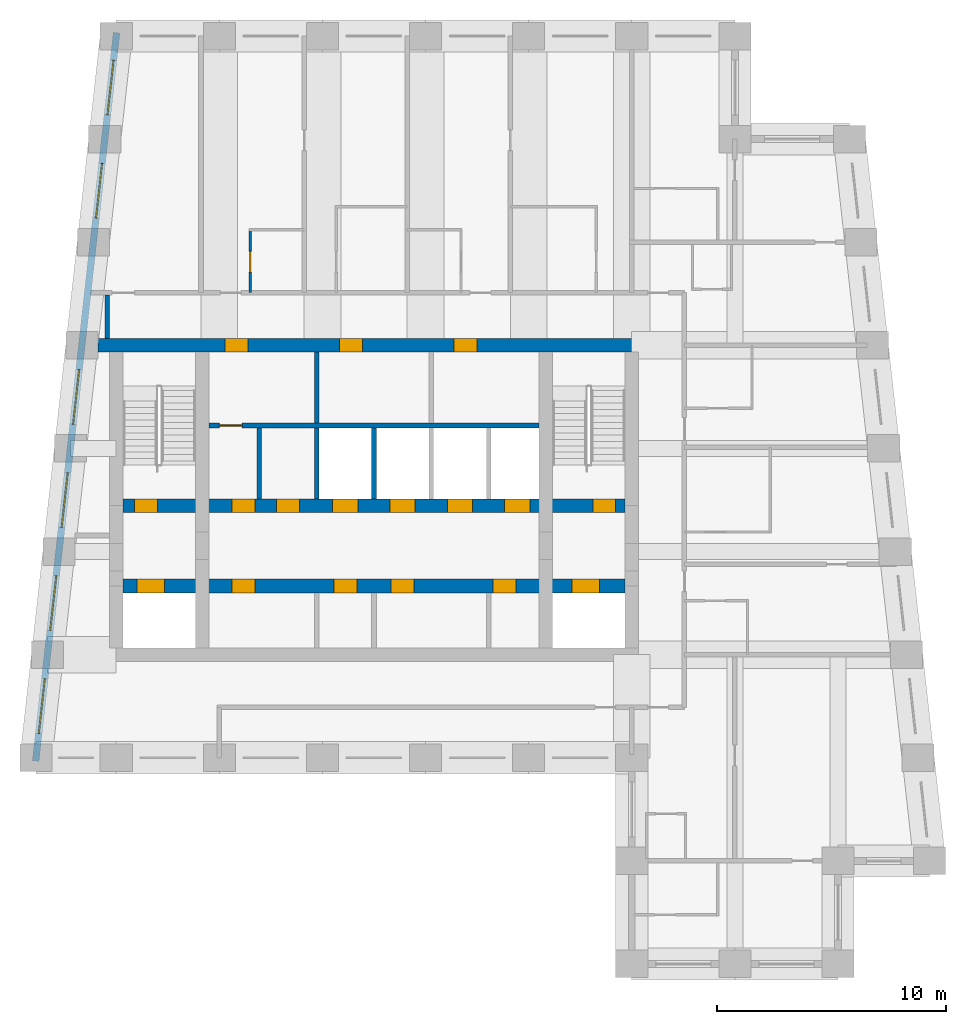
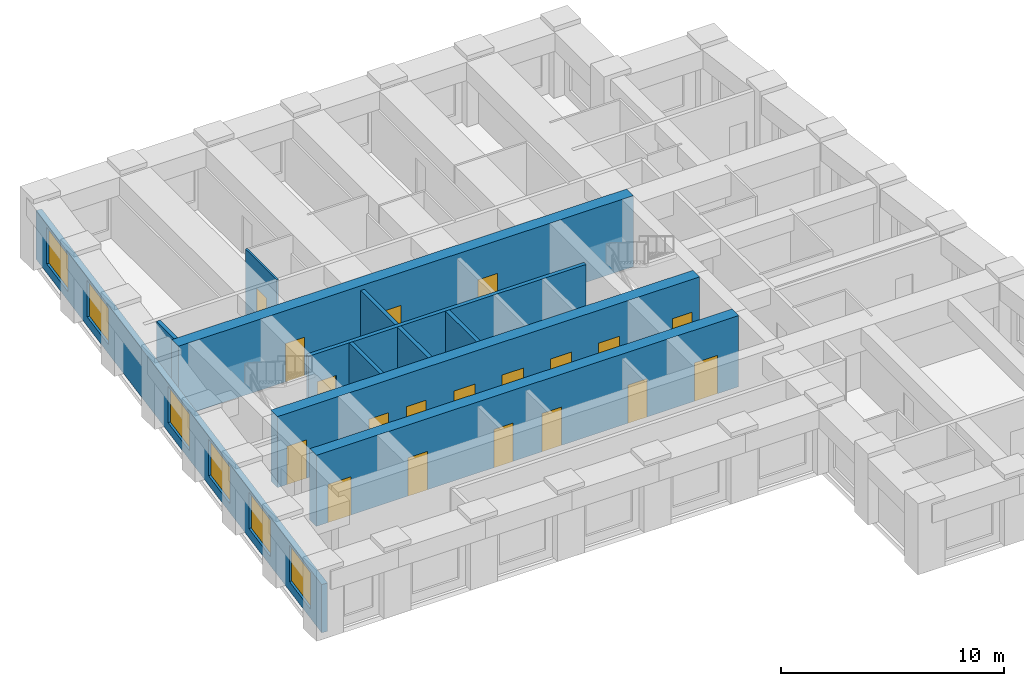
# One storey, part 3 of 7: 19 doors, 11 walls, 6 windows, 25 openings.
"""IFC4 building model written with IfcOpenShell, lengths in metres."""

from ifc_helpers import new_model, si_unit, direction, frame, frame_2d, origin, place, context, subcontext, project, spatial, rectangle, extrude, material, layer, layer_set, type_object, element, fill, save


model = new_model("IFC4")

# Units and contexts
model_context = context("Model", 3, precision=1e-05, world=origin(), true_north=direction((0.0, 1.0)))
body_context = subcontext(model_context, "Body", "Model", "MODEL_VIEW")
ifc_project = project(units=[si_unit("LENGTHUNIT", "METRE"), si_unit("AREAUNIT", "SQUARE_METRE"), si_unit("VOLUMEUNIT", "CUBIC_METRE"), si_unit("PLANEANGLEUNIT", "RADIAN"), si_unit("MASSUNIT", "GRAM", prefix="KILO")], contexts=[model_context])

# Site, building, storey
site_placement = place(None, origin())
site = spatial("IfcSite", under=ifc_project, at=site_placement, CompositionType="ELEMENT")
building_placement = place(site_placement, origin())
building = spatial("IfcBuilding", under=site, at=building_placement, Name="Kilele Tower Hotel", CompositionType="ELEMENT")
storey_placement = place(building_placement, frame((0.0, 0.0, 266.300048828125)))
storey = spatial("IfcBuildingStorey", under=building, at=storey_placement, Name="L68", CompositionType="ELEMENT", Elevation=266.300048828125)

# Wall, opening, door
ifc_material_1 = material(Name="Moisture-resistant board")
ifc_layer_1 = layer(ifc_material_1, 0.10009765625)
ifc_layer_set_1 = layer_set([ifc_layer_1], Name="Moisture-resistant board")
wall_type_1 = type_object("IfcWallType", Name="Bathroom partition 100", PredefinedType="PLUMBINGWALL", material=ifc_layer_set_1)
wall_1_placement = place(storey_placement, frame((19.35009765625, 29.300048828125, 0.0), z_axis=(0.0, 0.0, 1.0), x_axis=(0.0, 1.0, 0.0)))
wall_1 = element("IfcWall", 1, at=wall_1_placement, inside=storey, type_object=wall_type_1, Name="Bathroom partition 100 L68", PredefinedType="PLUMBINGWALL", context=body_context, shape_type="SweptSolid", body=[
    extrude(rectangle(XDim=2.800048828125, YDim=0.10009765625, at=frame_2d((1.39990234375, 0.0))), origin(), (0.0, 0.0, 1.0), 3.64990234375),
])
opening_1_placement = place(wall_1_placement, frame((0.89990234375, 0.0, 0.0)))
opening_1 = element("IfcOpeningElement", 2, at=opening_1_placement, cuts=wall_1, Name="Opening D2A", PredefinedType="OPENING", context=body_context, shape_type="SweptSolid", body=[
    extrude(rectangle(XDim=0.89990234375, YDim=2.10009765625, at=frame_2d((0.449951171875, 1.050048828125))), frame((0.0, 0.06005859375, 0.0), z_axis=(0.0, -1.0, 0.0), x_axis=(1.0, 0.0, 0.0)), (0.0, 0.0, 1.0), 0.1201171875),
])
ifc_material_2 = material(Name="Timber door leaf in hardwood frame", Category="wood")
door_type_1 = type_object("IfcDoorType", Name="Bathroom door 900", OperationType="SINGLE_SWING_LEFT", PredefinedType="DOOR", material=ifc_material_2)
door_1_placement = place(opening_1_placement, origin())
door_1 = element("IfcDoor", 3, at=door_1_placement, inside=storey, type_object=door_type_1, Name="Bathroom door 6807B", OperationType="SINGLE_SWING_LEFT", OverallHeight=2.10009765625, OverallWidth=0.89990234375, PredefinedType="DOOR", context=body_context, shape_type="SweptSolid", body=[
    extrude(rectangle(XDim=0.89990234375, YDim=2.10009765625, at=frame_2d((0.449951171875, 1.050048828125))), frame((0.0, 0.02490234375, 0.0), z_axis=(0.0, -1.0, 0.0), x_axis=(1.0, 0.0, 0.0)), (0.0, 0.0, 1.0), 0.050048828125),
])
fill(opening_1, door_1)

# Wall, openings, doors
ifc_material_3 = material(Name="Concrete C60/75", Category="concrete")
ifc_layer_2 = layer(ifc_material_3, 0.60009765625)
ifc_layer_set_2 = layer_set([ifc_layer_2], Name="Concrete C60/75")
wall_type_2 = type_object("IfcWallType", Name="Core wall 600 C60/75", PredefinedType="SHEAR", material=ifc_layer_set_2)
wall_2_placement = place(storey_placement, frame((36.300048828125, 27.0, 0.0), z_axis=(0.0, 0.0, 1.0), x_axis=(-1.0, 0.0, 0.0)))
wall_2 = element("IfcWall", 4, at=wall_2_placement, inside=storey, type_object=wall_type_2, Name="Core wall N L68", PredefinedType="SHEAR", context=body_context, shape_type="SweptSolid", body=[
    extrude(rectangle(XDim=23.60009765625, YDim=0.60009765625, at=frame_2d((11.800048828125, 0.0))), origin(), (0.0, 0.0, 1.0), 3.89990234375),
])
opening_2_placement = place(wall_2_placement, frame((17.050048828125, 0.0, 0.0)))
opening_2 = element("IfcOpeningElement", 5, at=opening_2_placement, cuts=wall_2, Name="Opening D12", PredefinedType="OPENING", context=body_context, shape_type="SweptSolid", body=[
    extrude(rectangle(XDim=1.0, YDim=2.10009765625, at=frame_2d((0.5, 1.050048828125))), frame((0.0, 0.31005859375, 0.0), z_axis=(0.0, -1.0, 0.0), x_axis=(1.0, 0.0, 0.0)), (0.0, 0.0, 1.0), 0.6201171875),
])
opening_3_placement = place(wall_2_placement, frame((12.050048828125, 0.0, 0.0)))
opening_3 = element("IfcOpeningElement", 6, at=opening_3_placement, cuts=wall_2, Name="Opening D6", PredefinedType="OPENING", context=body_context, shape_type="SweptSolid", body=[
    extrude(rectangle(XDim=1.0, YDim=2.10009765625, at=frame_2d((0.5, 1.050048828125))), frame((0.0, 0.31005859375, 0.0), z_axis=(0.0, -1.0, 0.0), x_axis=(1.0, 0.0, 0.0)), (0.0, 0.0, 1.0), 0.6201171875),
])
opening_4_placement = place(wall_2_placement, frame((7.050048828125, 0.0, 0.0)))
opening_4 = element("IfcOpeningElement", 7, at=opening_4_placement, cuts=wall_2, Name="Opening D6", PredefinedType="OPENING", context=body_context, shape_type="SweptSolid", body=[
    extrude(rectangle(XDim=1.0, YDim=2.10009765625, at=frame_2d((0.5, 1.050048828125))), frame((0.0, 0.31005859375, 0.0), z_axis=(0.0, -1.0, 0.0), x_axis=(1.0, 0.0, 0.0)), (0.0, 0.0, 1.0), 0.6201171875),
])
ifc_material_4 = material(Name="Timber door leaf in hardwood frame", Category="wood")
door_type_2 = type_object("IfcDoorType", Name="Core lobby door 1000", OperationType="SINGLE_SWING_LEFT", PredefinedType="DOOR", material=ifc_material_4)
door_2_placement = place(opening_2_placement, origin())
door_2 = element("IfcDoor", 8, at=door_2_placement, inside=storey, type_object=door_type_2, Name="North lobby door L68", OperationType="SINGLE_SWING_RIGHT", OverallHeight=2.10009765625, OverallWidth=1.0, PredefinedType="DOOR", context=body_context, shape_type="SweptSolid", body=[
    extrude(rectangle(XDim=1.0, YDim=2.10009765625, at=frame_2d((0.5, 1.050048828125))), frame((0.0, 0.2998046875, 0.0), z_axis=(0.0, -1.0, 0.0), x_axis=(1.0, 0.0, 0.0)), (0.0, 0.0, 1.0), 0.599609375),
])
fill(opening_2, door_2)
ifc_material_5 = material(Name="Timber door leaf in hardwood frame", Category="wood")
door_type_3 = type_object("IfcDoorType", Name="Riser door 1000", OperationType="SINGLE_SWING_LEFT", PredefinedType="DOOR", material=ifc_material_5)
door_3_placement = place(opening_3_placement, origin())
door_3 = element("IfcDoor", 9, at=door_3_placement, inside=storey, type_object=door_type_3, Name="Guest pantry door L68", OperationType="SINGLE_SWING_RIGHT", OverallHeight=2.10009765625, OverallWidth=1.0, PredefinedType="DOOR", context=body_context, shape_type="SweptSolid", body=[
    extrude(rectangle(XDim=1.0, YDim=2.10009765625, at=frame_2d((0.5, 1.050048828125))), frame((0.0, 0.2998046875, 0.0), z_axis=(0.0, -1.0, 0.0), x_axis=(1.0, 0.0, 0.0)), (0.0, 0.0, 1.0), 0.599609375),
])
fill(opening_3, door_3)
door_4_placement = place(opening_4_placement, origin())
door_4 = element("IfcDoor", 10, at=door_4_placement, inside=storey, type_object=door_type_3, Name="Electrical riser door L68", OperationType="SINGLE_SWING_RIGHT", OverallHeight=2.10009765625, OverallWidth=1.0, PredefinedType="DOOR", context=body_context, shape_type="SweptSolid", body=[
    extrude(rectangle(XDim=1.0, YDim=2.10009765625, at=frame_2d((0.5, 1.050048828125))), frame((0.0, 0.2998046875, 0.0), z_axis=(0.0, -1.0, 0.0), x_axis=(1.0, 0.0, 0.0)), (0.0, 0.0, 1.0), 0.599609375),
])
fill(opening_4, door_4)

wall_3_placement = place(storey_placement, frame((13.800048828125, 16.5, 0.0), z_axis=(0.0, 0.0, 1.0), x_axis=(1.0, 0.0, 0.0)))
wall_3 = element("IfcWall", 11, at=wall_3_placement, inside=storey, type_object=wall_type_2, Name="Core wall LS L68", PredefinedType="SHEAR", context=body_context, shape_type="SweptSolid", body=[
    extrude(rectangle(XDim=21.89990234375, YDim=0.60009765625, at=frame_2d((10.949951171875, 0.0))), origin(), (0.0, 0.0, 1.0), 3.89990234375),
])
opening_5_placement = place(wall_3_placement, frame((5.75, 0.0, 0.0), z_axis=(0.0, 0.0, 1.0), x_axis=(-1.0, 0.0, 0.0)))
opening_5 = element("IfcOpeningElement", 12, at=opening_5_placement, cuts=wall_3, Name="Opening D11", PredefinedType="OPENING", context=body_context, shape_type="SweptSolid", body=[
    extrude(rectangle(XDim=1.0, YDim=2.10009765625, at=frame_2d((0.5, 1.050048828125))), frame((0.0, 0.31005859375, 0.0), z_axis=(0.0, -1.0, 0.0), x_axis=(1.0, 0.0, 0.0)), (0.0, 0.0, 1.0), 0.6201171875),
])
opening_6_placement = place(wall_3_placement, frame((10.199951171875, 0.0, 0.0), z_axis=(0.0, 0.0, 1.0), x_axis=(-1.0, 0.0, 0.0)))
opening_6 = element("IfcOpeningElement", 13, at=opening_6_placement, cuts=wall_3, Name="Opening D11", PredefinedType="OPENING", context=body_context, shape_type="SweptSolid", body=[
    extrude(rectangle(XDim=1.0, YDim=2.10009765625, at=frame_2d((0.5, 1.050048828125))), frame((0.0, 0.31005859375, 0.0), z_axis=(0.0, -1.0, 0.0), x_axis=(1.0, 0.0, 0.0)), (0.0, 0.0, 1.0), 0.6201171875),
])
opening_7_placement = place(wall_3_placement, frame((12.699951171875, 0.0, 0.0), z_axis=(0.0, 0.0, 1.0), x_axis=(-1.0, 0.0, 0.0)))
opening_7 = element("IfcOpeningElement", 14, at=opening_7_placement, cuts=wall_3, Name="Opening D11", PredefinedType="OPENING", context=body_context, shape_type="SweptSolid", body=[
    extrude(rectangle(XDim=1.0, YDim=2.10009765625, at=frame_2d((0.5, 1.050048828125))), frame((0.0, 0.31005859375, 0.0), z_axis=(0.0, -1.0, 0.0), x_axis=(1.0, 0.0, 0.0)), (0.0, 0.0, 1.0), 0.6201171875),
])
opening_8_placement = place(wall_3_placement, frame((17.14990234375, 0.0, 0.0), z_axis=(0.0, 0.0, 1.0), x_axis=(-1.0, 0.0, 0.0)))
opening_8 = element("IfcOpeningElement", 15, at=opening_8_placement, cuts=wall_3, Name="Opening D11", PredefinedType="OPENING", context=body_context, shape_type="SweptSolid", body=[
    extrude(rectangle(XDim=1.0, YDim=2.10009765625, at=frame_2d((0.5, 1.050048828125))), frame((0.0, 0.31005859375, 0.0), z_axis=(0.0, -1.0, 0.0), x_axis=(1.0, 0.0, 0.0)), (0.0, 0.0, 1.0), 0.6201171875),
])
opening_9_placement = place(wall_3_placement, frame((0.60009765625, 0.0, 0.0)))
opening_9 = element("IfcOpeningElement", 16, at=opening_9_placement, cuts=wall_3, Name="Opening LD2", PredefinedType="OPENING", context=body_context, shape_type="SweptSolid", body=[
    extrude(rectangle(XDim=1.199951171875, YDim=2.10009765625, at=frame_2d((0.60009765625, 1.050048828125))), frame((0.0, 0.31005859375, 0.0), z_axis=(0.0, -1.0, 0.0), x_axis=(1.0, 0.0, 0.0)), (0.0, 0.0, 1.0), 0.6201171875),
])
opening_10_placement = place(wall_3_placement, frame((19.60009765625, 0.0, 0.0)))
opening_10 = element("IfcOpeningElement", 17, at=opening_10_placement, cuts=wall_3, Name="Opening LD2", PredefinedType="OPENING", context=body_context, shape_type="SweptSolid", body=[
    extrude(rectangle(XDim=1.199951171875, YDim=2.10009765625, at=frame_2d((0.60009765625, 1.050048828125))), frame((0.0, 0.31005859375, 0.0), z_axis=(0.0, -1.0, 0.0), x_axis=(1.0, 0.0, 0.0)), (0.0, 0.0, 1.0), 0.6201171875),
])
ifc_material_6 = material(Name="Timber door leaf in hardwood frame", Category="wood")
door_type_4 = type_object("IfcDoorType", Name="Core store door 1000", OperationType="SINGLE_SWING_LEFT", PredefinedType="DOOR", material=ifc_material_6)
door_5_placement = place(opening_5_placement, origin())
door_5 = element("IfcDoor", 18, at=door_5_placement, inside=storey, type_object=door_type_4, Name="Core room door L1 L68", OperationType="SINGLE_SWING_RIGHT", OverallHeight=2.10009765625, OverallWidth=1.0, PredefinedType="DOOR", context=body_context, shape_type="SweptSolid", body=[
    extrude(rectangle(XDim=1.0, YDim=2.10009765625, at=frame_2d((0.5, 1.050048828125))), frame((0.0, 0.2998046875, 0.0), z_axis=(0.0, -1.0, 0.0), x_axis=(1.0, 0.0, 0.0)), (0.0, 0.0, 1.0), 0.599609375),
])
fill(opening_5, door_5)
door_6_placement = place(opening_6_placement, origin())
door_6 = element("IfcDoor", 19, at=door_6_placement, inside=storey, type_object=door_type_4, Name="Core room door L3 L68", OperationType="SINGLE_SWING_RIGHT", OverallHeight=2.10009765625, OverallWidth=1.0, PredefinedType="DOOR", context=body_context, shape_type="SweptSolid", body=[
    extrude(rectangle(XDim=1.0, YDim=2.10009765625, at=frame_2d((0.5, 1.050048828125))), frame((0.0, 0.2998046875, 0.0), z_axis=(0.0, -1.0, 0.0), x_axis=(1.0, 0.0, 0.0)), (0.0, 0.0, 1.0), 0.599609375),
])
fill(opening_6, door_6)
door_7_placement = place(opening_7_placement, origin())
door_7 = element("IfcDoor", 20, at=door_7_placement, inside=storey, type_object=door_type_4, Name="Core room door M1 L68", OperationType="SINGLE_SWING_RIGHT", OverallHeight=2.10009765625, OverallWidth=1.0, PredefinedType="DOOR", context=body_context, shape_type="SweptSolid", body=[
    extrude(rectangle(XDim=1.0, YDim=2.10009765625, at=frame_2d((0.5, 1.050048828125))), frame((0.0, 0.2998046875, 0.0), z_axis=(0.0, -1.0, 0.0), x_axis=(1.0, 0.0, 0.0)), (0.0, 0.0, 1.0), 0.599609375),
])
fill(opening_7, door_7)
door_8_placement = place(opening_8_placement, origin())
door_8 = element("IfcDoor", 21, at=door_8_placement, inside=storey, type_object=door_type_4, Name="Core room door M3 L68", OperationType="SINGLE_SWING_RIGHT", OverallHeight=2.10009765625, OverallWidth=1.0, PredefinedType="DOOR", context=body_context, shape_type="SweptSolid", body=[
    extrude(rectangle(XDim=1.0, YDim=2.10009765625, at=frame_2d((0.5, 1.050048828125))), frame((0.0, 0.2998046875, 0.0), z_axis=(0.0, -1.0, 0.0), x_axis=(1.0, 0.0, 0.0)), (0.0, 0.0, 1.0), 0.599609375),
])
fill(opening_8, door_8)
ifc_material_7 = material(Name="Steel lift landing door", Category="steel")
door_type_5 = type_object("IfcDoorType", Name="Firefighting lift landing door 1200", OperationType="SLIDING_TO_LEFT", PredefinedType="DOOR", material=ifc_material_7)
door_9_placement = place(opening_9_placement, origin())
door_9 = element("IfcDoor", 22, at=door_9_placement, inside=storey, type_object=door_type_5, Name="Landing door FFW L68", OperationType="SLIDING_TO_LEFT", OverallHeight=2.10009765625, OverallWidth=1.199951171875, PredefinedType="DOOR", context=body_context, shape_type="SweptSolid", body=[
    extrude(rectangle(XDim=1.199951171875, YDim=2.10009765625, at=frame_2d((0.60009765625, 1.050048828125))), frame((0.0, 0.2998046875, 0.0), z_axis=(0.0, -1.0, 0.0), x_axis=(1.0, 0.0, 0.0)), (0.0, 0.0, 1.0), 0.599609375),
])
fill(opening_9, door_9)
door_10_placement = place(opening_10_placement, origin())
door_10 = element("IfcDoor", 23, at=door_10_placement, inside=storey, type_object=door_type_5, Name="Landing door FFE L68", OperationType="SLIDING_TO_LEFT", OverallHeight=2.10009765625, OverallWidth=1.199951171875, PredefinedType="DOOR", context=body_context, shape_type="SweptSolid", body=[
    extrude(rectangle(XDim=1.199951171875, YDim=2.10009765625, at=frame_2d((0.60009765625, 1.050048828125))), frame((0.0, 0.2998046875, 0.0), z_axis=(0.0, -1.0, 0.0), x_axis=(1.0, 0.0, 0.0)), (0.0, 0.0, 1.0), 0.599609375),
])
fill(opening_10, door_10)

wall_4_placement = place(storey_placement, frame((13.800048828125, 20.0, 0.0), z_axis=(0.0, 0.0, 1.0), x_axis=(1.0, 0.0, 0.0)))
wall_4 = element("IfcWall", 24, at=wall_4_placement, inside=storey, type_object=wall_type_2, Name="Core wall LN L68", PredefinedType="SHEAR", context=body_context, shape_type="SweptSolid", body=[
    extrude(rectangle(XDim=21.89990234375, YDim=0.60009765625, at=frame_2d((10.949951171875, 0.0))), origin(), (0.0, 0.0, 1.0), 3.89990234375),
])
opening_11_placement = place(wall_4_placement, frame((0.5, 0.0, 0.0)))
opening_11 = element("IfcOpeningElement", 25, at=opening_11_placement, cuts=wall_4, Name="Opening D5", PredefinedType="OPENING", context=body_context, shape_type="SweptSolid", body=[
    extrude(rectangle(XDim=1.0, YDim=2.10009765625, at=frame_2d((0.5, 1.050048828125))), frame((0.0, 0.31005859375, 0.0), z_axis=(0.0, -1.0, 0.0), x_axis=(1.0, 0.0, 0.0)), (0.0, 0.0, 1.0), 0.6201171875),
])
opening_12_placement = place(wall_4_placement, frame((20.5, 0.0, 0.0)))
opening_12 = element("IfcOpeningElement", 26, at=opening_12_placement, cuts=wall_4, Name="Opening D5", PredefinedType="OPENING", context=body_context, shape_type="SweptSolid", body=[
    extrude(rectangle(XDim=1.0, YDim=2.10009765625, at=frame_2d((0.5, 1.050048828125))), frame((0.0, 0.31005859375, 0.0), z_axis=(0.0, -1.0, 0.0), x_axis=(1.0, 0.0, 0.0)), (0.0, 0.0, 1.0), 0.6201171875),
])
opening_13_placement = place(wall_4_placement, frame((9.14990234375, 0.0, 0.0)))
opening_13 = element("IfcOpeningElement", 27, at=opening_13_placement, cuts=wall_4, Name="Opening LD1", PredefinedType="OPENING", context=body_context, shape_type="SweptSolid", body=[
    extrude(rectangle(XDim=1.10009765625, YDim=2.10009765625, at=frame_2d((0.550048828125, 1.050048828125))), frame((0.0, 0.31005859375, 0.0), z_axis=(0.0, -1.0, 0.0), x_axis=(1.0, 0.0, 0.0)), (0.0, 0.0, 1.0), 0.6201171875),
])
opening_14_placement = place(wall_4_placement, frame((11.64990234375, 0.0, 0.0)))
opening_14 = element("IfcOpeningElement", 28, at=opening_14_placement, cuts=wall_4, Name="Opening LD1", PredefinedType="OPENING", context=body_context, shape_type="SweptSolid", body=[
    extrude(rectangle(XDim=1.10009765625, YDim=2.10009765625, at=frame_2d((0.550048828125, 1.050048828125))), frame((0.0, 0.31005859375, 0.0), z_axis=(0.0, -1.0, 0.0), x_axis=(1.0, 0.0, 0.0)), (0.0, 0.0, 1.0), 0.6201171875),
])
opening_15_placement = place(wall_4_placement, frame((14.14990234375, 0.0, 0.0)))
opening_15 = element("IfcOpeningElement", 29, at=opening_15_placement, cuts=wall_4, Name="Opening LD1", PredefinedType="OPENING", context=body_context, shape_type="SweptSolid", body=[
    extrude(rectangle(XDim=1.10009765625, YDim=2.10009765625, at=frame_2d((0.550048828125, 1.050048828125))), frame((0.0, 0.31005859375, 0.0), z_axis=(0.0, -1.0, 0.0), x_axis=(1.0, 0.0, 0.0)), (0.0, 0.0, 1.0), 0.6201171875),
])
opening_16_placement = place(wall_4_placement, frame((16.64990234375, 0.0, 0.0)))
opening_16 = element("IfcOpeningElement", 30, at=opening_16_placement, cuts=wall_4, Name="Opening LD1", PredefinedType="OPENING", context=body_context, shape_type="SweptSolid", body=[
    extrude(rectangle(XDim=1.10009765625, YDim=2.10009765625, at=frame_2d((0.550048828125, 1.050048828125))), frame((0.0, 0.31005859375, 0.0), z_axis=(0.0, -1.0, 0.0), x_axis=(1.0, 0.0, 0.0)), (0.0, 0.0, 1.0), 0.6201171875),
])
opening_17_placement = place(wall_4_placement, frame((5.75, 0.0, 0.0), z_axis=(0.0, 0.0, 1.0), x_axis=(-1.0, 0.0, 0.0)))
opening_17 = element("IfcOpeningElement", 31, at=opening_17_placement, cuts=wall_4, Name="Opening D12", PredefinedType="OPENING", context=body_context, shape_type="SweptSolid", body=[
    extrude(rectangle(XDim=1.0, YDim=2.10009765625, at=frame_2d((0.5, 1.050048828125))), frame((0.0, 0.31005859375, 0.0), z_axis=(0.0, -1.0, 0.0), x_axis=(1.0, 0.0, 0.0)), (0.0, 0.0, 1.0), 0.6201171875),
])
opening_18_placement = place(wall_4_placement, frame((6.699951171875, 0.0, 0.0)))
opening_18 = element("IfcOpeningElement", 32, at=opening_18_placement, cuts=wall_4, Name="Opening D11", PredefinedType="OPENING", context=body_context, shape_type="SweptSolid", body=[
    extrude(rectangle(XDim=1.0, YDim=2.10009765625, at=frame_2d((0.5, 1.050048828125))), frame((0.0, 0.31005859375, 0.0), z_axis=(0.0, -1.0, 0.0), x_axis=(1.0, 0.0, 0.0)), (0.0, 0.0, 1.0), 0.6201171875),
])
door_11_placement = place(opening_17_placement, origin())
door_11 = element("IfcDoor", 33, at=door_11_placement, inside=storey, type_object=door_type_2, Name="Core passage door L68", OperationType="SINGLE_SWING_RIGHT", OverallHeight=2.10009765625, OverallWidth=1.0, PredefinedType="DOOR", context=body_context, shape_type="SweptSolid", body=[
    extrude(rectangle(XDim=1.0, YDim=2.10009765625, at=frame_2d((0.5, 1.050048828125))), frame((0.0, 0.2998046875, 0.0), z_axis=(0.0, -1.0, 0.0), x_axis=(1.0, 0.0, 0.0)), (0.0, 0.0, 1.0), 0.599609375),
])
fill(opening_17, door_11)
door_12_placement = place(opening_18_placement, origin())
door_12 = element("IfcDoor", 34, at=door_12_placement, inside=storey, type_object=door_type_4, Name="Core room door S2 L68", OperationType="SINGLE_SWING_LEFT", OverallHeight=2.10009765625, OverallWidth=1.0, PredefinedType="DOOR", context=body_context, shape_type="SweptSolid", body=[
    extrude(rectangle(XDim=1.0, YDim=2.10009765625, at=frame_2d((0.5, 1.050048828125))), frame((0.0, 0.2998046875, 0.0), z_axis=(0.0, -1.0, 0.0), x_axis=(1.0, 0.0, 0.0)), (0.0, 0.0, 1.0), 0.599609375),
])
fill(opening_18, door_12)
ifc_material_8 = material(Name="Steel lift landing door", Category="steel")
door_type_6 = type_object("IfcDoorType", Name="Lift landing door 1100", OperationType="SLIDING_TO_LEFT", PredefinedType="DOOR", material=ifc_material_8)
door_13_placement = place(opening_13_placement, origin())
door_13 = element("IfcDoor", 35, at=door_13_placement, inside=storey, type_object=door_type_6, Name="Landing door H1 L68", OperationType="SLIDING_TO_LEFT", OverallHeight=2.10009765625, OverallWidth=1.10009765625, PredefinedType="DOOR", context=body_context, shape_type="SweptSolid", body=[
    extrude(rectangle(XDim=1.10009765625, YDim=2.10009765625, at=frame_2d((0.550048828125, 1.050048828125))), frame((0.0, 0.2998046875, 0.0), z_axis=(0.0, -1.0, 0.0), x_axis=(1.0, 0.0, 0.0)), (0.0, 0.0, 1.0), 0.599609375),
])
fill(opening_13, door_13)
door_14_placement = place(opening_14_placement, origin())
door_14 = element("IfcDoor", 36, at=door_14_placement, inside=storey, type_object=door_type_6, Name="Landing door H2 L68", OperationType="SLIDING_TO_LEFT", OverallHeight=2.10009765625, OverallWidth=1.10009765625, PredefinedType="DOOR", context=body_context, shape_type="SweptSolid", body=[
    extrude(rectangle(XDim=1.10009765625, YDim=2.10009765625, at=frame_2d((0.550048828125, 1.050048828125))), frame((0.0, 0.2998046875, 0.0), z_axis=(0.0, -1.0, 0.0), x_axis=(1.0, 0.0, 0.0)), (0.0, 0.0, 1.0), 0.599609375),
])
fill(opening_14, door_14)
door_15_placement = place(opening_15_placement, origin())
door_15 = element("IfcDoor", 37, at=door_15_placement, inside=storey, type_object=door_type_6, Name="Landing door H3 L68", OperationType="SLIDING_TO_LEFT", OverallHeight=2.10009765625, OverallWidth=1.10009765625, PredefinedType="DOOR", context=body_context, shape_type="SweptSolid", body=[
    extrude(rectangle(XDim=1.10009765625, YDim=2.10009765625, at=frame_2d((0.550048828125, 1.050048828125))), frame((0.0, 0.2998046875, 0.0), z_axis=(0.0, -1.0, 0.0), x_axis=(1.0, 0.0, 0.0)), (0.0, 0.0, 1.0), 0.599609375),
])
fill(opening_15, door_15)
door_16_placement = place(opening_16_placement, origin())
door_16 = element("IfcDoor", 38, at=door_16_placement, inside=storey, type_object=door_type_6, Name="Landing door G1 L68", OperationType="SLIDING_TO_LEFT", OverallHeight=2.10009765625, OverallWidth=1.10009765625, PredefinedType="DOOR", context=body_context, shape_type="SweptSolid", body=[
    extrude(rectangle(XDim=1.10009765625, YDim=2.10009765625, at=frame_2d((0.550048828125, 1.050048828125))), frame((0.0, 0.2998046875, 0.0), z_axis=(0.0, -1.0, 0.0), x_axis=(1.0, 0.0, 0.0)), (0.0, 0.0, 1.0), 0.599609375),
])
fill(opening_16, door_16)
ifc_material_9 = material(Name="Timber door leaf in hardwood frame", Category="wood")
door_type_7 = type_object("IfcDoorType", Name="Stair door 1000", OperationType="SINGLE_SWING_LEFT", PredefinedType="DOOR", material=ifc_material_9)
door_17_placement = place(opening_11_placement, origin())
door_17 = element("IfcDoor", 39, at=door_17_placement, inside=storey, type_object=door_type_7, Name="Stair 1 door L68", OperationType="SINGLE_SWING_LEFT", OverallHeight=2.10009765625, OverallWidth=1.0, PredefinedType="DOOR", context=body_context, shape_type="SweptSolid", body=[
    extrude(rectangle(XDim=1.0, YDim=2.10009765625, at=frame_2d((0.5, 1.050048828125))), frame((0.0, 0.2998046875, 0.0), z_axis=(0.0, -1.0, 0.0), x_axis=(1.0, 0.0, 0.0)), (0.0, 0.0, 1.0), 0.599609375),
])
fill(opening_11, door_17)
door_18_placement = place(opening_12_placement, origin())
door_18 = element("IfcDoor", 40, at=door_18_placement, inside=storey, type_object=door_type_7, Name="Stair 2 door L68", OperationType="SINGLE_SWING_RIGHT", OverallHeight=2.10009765625, OverallWidth=1.0, PredefinedType="DOOR", context=body_context, shape_type="SweptSolid", body=[
    extrude(rectangle(XDim=1.0, YDim=2.10009765625, at=frame_2d((0.5, 1.050048828125))), frame((0.0, 0.2998046875, 0.0), z_axis=(0.0, -1.0, 0.0), x_axis=(1.0, 0.0, 0.0)), (0.0, 0.0, 1.0), 0.599609375),
])
fill(opening_12, door_18)

# Wall
ifc_material_10 = material(Name="Blockwork, plastered both sides", Category="masonry")
ifc_layer_3 = layer(ifc_material_10, 0.199951171875)
ifc_layer_set_3 = layer_set([ifc_layer_3], Name="Blockwork, plastered both sides")
wall_type_3 = type_object("IfcWallType", Name="Partition wall 200", PredefinedType="PARTITIONING", material=ifc_layer_set_3)
wall_5_placement = place(storey_placement, frame((13.10009765625, 27.300048828125, 0.0), z_axis=(0.0, 0.0, 1.0), x_axis=(0.0, 1.0, 0.0)))
element("IfcWall", 41, at=wall_5_placement, inside=storey, type_object=wall_type_3, Name="Partition wall 200 L68", PredefinedType="PARTITIONING", context=body_context, shape_type="SweptSolid", body=[
    extrude(rectangle(XDim=1.89990234375, YDim=0.199951171875, at=frame_2d((0.949951171875, 0.0))), origin(), (0.0, 0.0, 1.0), 3.64990234375),
])

# Wall, openings, windows
ifc_material_11 = material(Name="Concrete C40/50 precast", Category="concrete")
ifc_layer_4 = layer(ifc_material_11, 0.260009765625, Name="Precast backing", Category="LoadBearing")
ifc_material_12 = material(Name="Reconstituted stone finish", Category="masonry")
ifc_layer_5 = layer(ifc_material_12, 0.0400390625, Name="Face mix", Category="Finish")
ifc_layer_set_4 = layer_set([ifc_layer_4, ifc_layer_5], Name="Precast concrete C40/50, reconstituted stone finish")
wall_type_4 = type_object("IfcWallType", Name="Precast stone facade wall 300", PredefinedType="STANDARD", material=ifc_layer_set_4)
wall_6_placement = place(storey_placement, frame((13.5166015625, 40.649169921875, 0.0), z_axis=(0.0, 0.0, 1.0), x_axis=(-0.110433201132, -0.993883548555, 0.0)))
wall_6 = element("IfcWall", 42, at=wall_6_placement, inside=storey, type_object=wall_type_4, Name="Facade wall L68 edge 10", PredefinedType="STANDARD", context=body_context, shape_type="SweptSolid", body=[
    extrude(rectangle(XDim=31.994140625, YDim=0.300048828125, at=frame_2d((15.9970703125, 0.0))), origin(), (0.0, 0.0, 1.0), 2.64990234375),
])
opening_19_placement = place(wall_6_placement, frame((1.214111328125, 0.0, 0.5)))
opening_19 = element("IfcOpeningElement", 43, at=opening_19_placement, cuts=wall_6, Name="Opening W4", PredefinedType="OPENING", context=body_context, shape_type="SweptSolid", body=[
    extrude(rectangle(XDim=2.39990234375, YDim=2.0, at=frame_2d((1.199951171875, 1.0))), frame((0.0, 0.159912109375, 0.0), z_axis=(0.0, -1.0, 0.0), x_axis=(1.0, 0.0, 0.0)), (0.0, 0.0, 1.0), 0.320068359375),
])
opening_20_placement = place(wall_6_placement, frame((5.741943359375, 0.0, 0.5)))
opening_20 = element("IfcOpeningElement", 44, at=opening_20_placement, cuts=wall_6, Name="Opening W4", PredefinedType="OPENING", context=body_context, shape_type="SweptSolid", body=[
    extrude(rectangle(XDim=2.39990234375, YDim=2.0, at=frame_2d((1.199951171875, 1.0))), frame((0.0, 0.159912109375, 0.0), z_axis=(0.0, -1.0, 0.0), x_axis=(1.0, 0.0, 0.0)), (0.0, 0.0, 1.0), 0.320068359375),
])
opening_21_placement = place(wall_6_placement, frame((14.797119140625, 0.0, 0.5)))
opening_21 = element("IfcOpeningElement", 45, at=opening_21_placement, cuts=wall_6, Name="Opening W4", PredefinedType="OPENING", context=body_context, shape_type="SweptSolid", body=[
    extrude(rectangle(XDim=2.39990234375, YDim=2.0, at=frame_2d((1.199951171875, 1.0))), frame((0.0, 0.159912109375, 0.0), z_axis=(0.0, -1.0, 0.0), x_axis=(1.0, 0.0, 0.0)), (0.0, 0.0, 1.0), 0.320068359375),
])
opening_22_placement = place(wall_6_placement, frame((19.324951171875, 0.0, 0.5)))
opening_22 = element("IfcOpeningElement", 46, at=opening_22_placement, cuts=wall_6, Name="Opening W4", PredefinedType="OPENING", context=body_context, shape_type="SweptSolid", body=[
    extrude(rectangle(XDim=2.39990234375, YDim=2.0, at=frame_2d((1.199951171875, 1.0))), frame((0.0, 0.159912109375, 0.0), z_axis=(0.0, -1.0, 0.0), x_axis=(1.0, 0.0, 0.0)), (0.0, 0.0, 1.0), 0.320068359375),
])
opening_23_placement = place(wall_6_placement, frame((23.85205078125, 0.0, 0.5)))
opening_23 = element("IfcOpeningElement", 47, at=opening_23_placement, cuts=wall_6, Name="Opening W4", PredefinedType="OPENING", context=body_context, shape_type="SweptSolid", body=[
    extrude(rectangle(XDim=2.39990234375, YDim=2.0, at=frame_2d((1.199951171875, 1.0))), frame((0.0, 0.159912109375, 0.0), z_axis=(0.0, -1.0, 0.0), x_axis=(1.0, 0.0, 0.0)), (0.0, 0.0, 1.0), 0.320068359375),
])
opening_24_placement = place(wall_6_placement, frame((28.3798828125, 0.0, 0.5)))
opening_24 = element("IfcOpeningElement", 48, at=opening_24_placement, cuts=wall_6, Name="Opening W4", PredefinedType="OPENING", context=body_context, shape_type="SweptSolid", body=[
    extrude(rectangle(XDim=2.39990234375, YDim=2.0, at=frame_2d((1.199951171875, 1.0))), frame((0.0, 0.159912109375, 0.0), z_axis=(0.0, -1.0, 0.0), x_axis=(1.0, 0.0, 0.0)), (0.0, 0.0, 1.0), 0.320068359375),
])
ifc_material_13 = material(Name="Aluminium frame, clear double glazing", Category="aluminium")
window_type = type_object("IfcWindowType", Name="Window W4 2400 x 2000", PartitioningType="SINGLE_PANEL", PredefinedType="WINDOW", material=ifc_material_13)
window_1_placement = place(opening_19_placement, origin())
window_1 = element("IfcWindow", 49, at=window_1_placement, inside=storey, type_object=window_type, Name="Window L68", OverallHeight=2.0, OverallWidth=2.39990234375, PartitioningType="SINGLE_PANEL", PredefinedType="WINDOW", context=body_context, shape_type="SweptSolid", body=[
    extrude(rectangle(XDim=2.39990234375, YDim=2.0, at=frame_2d((1.199951171875, 1.0))), frame((0.0, 0.030029296875, 0.0), z_axis=(0.0, -1.0, 0.0), x_axis=(1.0, 0.0, 0.0)), (0.0, 0.0, 1.0), 0.06005859375),
])
fill(opening_19, window_1)
window_2_placement = place(opening_20_placement, origin())
window_2 = element("IfcWindow", 50, at=window_2_placement, inside=storey, type_object=window_type, Name="Window L68", OverallHeight=2.0, OverallWidth=2.39990234375, PartitioningType="SINGLE_PANEL", PredefinedType="WINDOW", context=body_context, shape_type="SweptSolid", body=[
    extrude(rectangle(XDim=2.39990234375, YDim=2.0, at=frame_2d((1.199951171875, 1.0))), frame((0.0, 0.030029296875, 0.0), z_axis=(0.0, -1.0, 0.0), x_axis=(1.0, 0.0, 0.0)), (0.0, 0.0, 1.0), 0.06005859375),
])
fill(opening_20, window_2)
window_3_placement = place(opening_21_placement, origin())
window_3 = element("IfcWindow", 51, at=window_3_placement, inside=storey, type_object=window_type, Name="Window L68", OverallHeight=2.0, OverallWidth=2.39990234375, PartitioningType="SINGLE_PANEL", PredefinedType="WINDOW", context=body_context, shape_type="SweptSolid", body=[
    extrude(rectangle(XDim=2.39990234375, YDim=2.0, at=frame_2d((1.199951171875, 1.0))), frame((0.0, 0.030029296875, 0.0), z_axis=(0.0, -1.0, 0.0), x_axis=(1.0, 0.0, 0.0)), (0.0, 0.0, 1.0), 0.06005859375),
])
fill(opening_21, window_3)
window_4_placement = place(opening_22_placement, origin())
window_4 = element("IfcWindow", 52, at=window_4_placement, inside=storey, type_object=window_type, Name="Window L68", OverallHeight=2.0, OverallWidth=2.39990234375, PartitioningType="SINGLE_PANEL", PredefinedType="WINDOW", context=body_context, shape_type="SweptSolid", body=[
    extrude(rectangle(XDim=2.39990234375, YDim=2.0, at=frame_2d((1.199951171875, 1.0))), frame((0.0, 0.030029296875, 0.0), z_axis=(0.0, -1.0, 0.0), x_axis=(1.0, 0.0, 0.0)), (0.0, 0.0, 1.0), 0.06005859375),
])
fill(opening_22, window_4)
window_5_placement = place(opening_23_placement, origin())
window_5 = element("IfcWindow", 53, at=window_5_placement, inside=storey, type_object=window_type, Name="Window L68", OverallHeight=2.0, OverallWidth=2.39990234375, PartitioningType="SINGLE_PANEL", PredefinedType="WINDOW", context=body_context, shape_type="SweptSolid", body=[
    extrude(rectangle(XDim=2.39990234375, YDim=2.0, at=frame_2d((1.199951171875, 1.0))), frame((0.0, 0.030029296875, 0.0), z_axis=(0.0, -1.0, 0.0), x_axis=(1.0, 0.0, 0.0)), (0.0, 0.0, 1.0), 0.06005859375),
])
fill(opening_23, window_5)
window_6_placement = place(opening_24_placement, origin())
window_6 = element("IfcWindow", 54, at=window_6_placement, inside=storey, type_object=window_type, Name="Window L68", OverallHeight=2.0, OverallWidth=2.39990234375, PartitioningType="SINGLE_PANEL", PredefinedType="WINDOW", context=body_context, shape_type="SweptSolid", body=[
    extrude(rectangle(XDim=2.39990234375, YDim=2.0, at=frame_2d((1.199951171875, 1.0))), frame((0.0, 0.030029296875, 0.0), z_axis=(0.0, -1.0, 0.0), x_axis=(1.0, 0.0, 0.0)), (0.0, 0.0, 1.0), 0.06005859375),
])
fill(opening_24, window_6)

# Walls
ifc_material_14 = material(Name="Blockwork, fire-rated", Category="masonry")
ifc_layer_6 = layer(ifc_material_14, 0.199951171875)
ifc_layer_set_5 = layer_set([ifc_layer_6], Name="Blockwork, fire-rated")
wall_type_5 = type_object("IfcWallType", Name="Shaft wall 200", PredefinedType="PARTITIONING", material=ifc_layer_set_5)
for number, where, z_axis, x_axis, name in (
    (55, (19.75, 20.300048828125, 0.0), (0.0, 0.0, 1.0), (0.0, 1.0, 0.0), "Shaft wall 200 L68"),
    (56, (22.25, 20.300048828125, 0.0), (0.0, 0.0, 1.0), (0.0, 1.0, 0.0), "Shaft wall 200 L68"),
    (57, (24.75, 20.300048828125, 0.0), (0.0, 0.0, 1.0), (0.0, 1.0, 0.0), "Shaft wall 200 L68"),
):
    element("IfcWall", number, at=place(storey_placement, frame(where, z_axis=z_axis, x_axis=x_axis)), inside=storey, type_object=wall_type_5, Name=name, PredefinedType="PARTITIONING", context=body_context, shape_type="SweptSolid", body=[
        extrude(rectangle(XDim=3.099853515625, YDim=0.199951171875, at=frame_2d((1.5498046875, 0.0))), origin(), (0.0, 0.0, 1.0), 3.64990234375),
    ])

# Wall, opening, door
wall_7_placement = place(storey_placement, frame((17.550048828125, 23.5, 0.0), z_axis=(0.0, 0.0, 1.0), x_axis=(1.0, 0.0, 0.0)))
wall_7 = element("IfcWall", 58, at=wall_7_placement, inside=storey, type_object=wall_type_5, Name="Shaft wall 200 L68", PredefinedType="PARTITIONING", context=body_context, shape_type="SweptSolid", body=[
    extrude(rectangle(XDim=14.39990234375, YDim=0.199951171875, at=frame_2d((7.199951171875, 0.0))), origin(), (0.0, 0.0, 1.0), 3.64990234375),
])
opening_25_placement = place(wall_7_placement, frame((0.449951171875, 0.0, 0.0)))
opening_25 = element("IfcOpeningElement", 59, at=opening_25_placement, cuts=wall_7, Name="Opening D12", PredefinedType="OPENING", context=body_context, shape_type="SweptSolid", body=[
    extrude(rectangle(XDim=1.0, YDim=2.10009765625, at=frame_2d((0.5, 1.050048828125))), frame((0.0, 0.10986328125, 0.0), z_axis=(0.0, -1.0, 0.0), x_axis=(1.0, 0.0, 0.0)), (0.0, 0.0, 1.0), 0.219970703125),
])
door_19_placement = place(opening_25_placement, origin())
door_19 = element("IfcDoor", 60, at=door_19_placement, inside=storey, type_object=door_type_2, Name="Core passage door", OperationType="SINGLE_SWING_LEFT", OverallHeight=2.10009765625, OverallWidth=1.0, PredefinedType="DOOR", context=body_context, shape_type="SweptSolid", body=[
    extrude(rectangle(XDim=1.0, YDim=2.10009765625, at=frame_2d((0.5, 1.050048828125))), frame((0.0, 0.02490234375, 0.0), z_axis=(0.0, -1.0, 0.0), x_axis=(1.0, 0.0, 0.0)), (0.0, 0.0, 1.0), 0.050048828125),
])
fill(opening_25, door_19)

# Wall
wall_8_placement = place(storey_placement, frame((22.25, 23.60009765625, 0.0), z_axis=(0.0, 0.0, 1.0), x_axis=(0.0, 1.0, 0.0)))
element("IfcWall", 61, at=wall_8_placement, inside=storey, type_object=wall_type_5, Name="Shaft wall 200 L68", PredefinedType="PARTITIONING", context=body_context, shape_type="SweptSolid", body=[
    extrude(rectangle(XDim=3.099853515625, YDim=0.199951171875, at=frame_2d((1.5498046875, 0.0))), origin(), (0.0, 0.0, 1.0), 3.64990234375),
])

save(model, "model.ifc")
